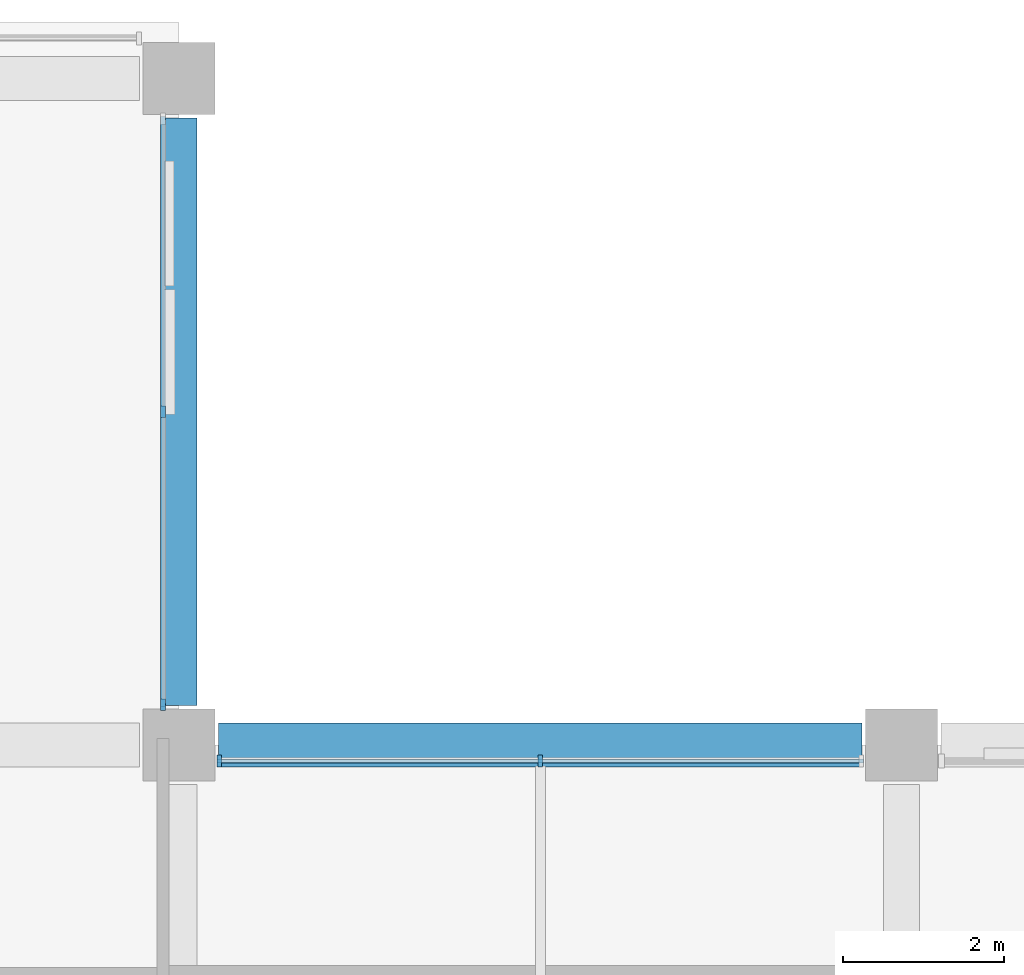
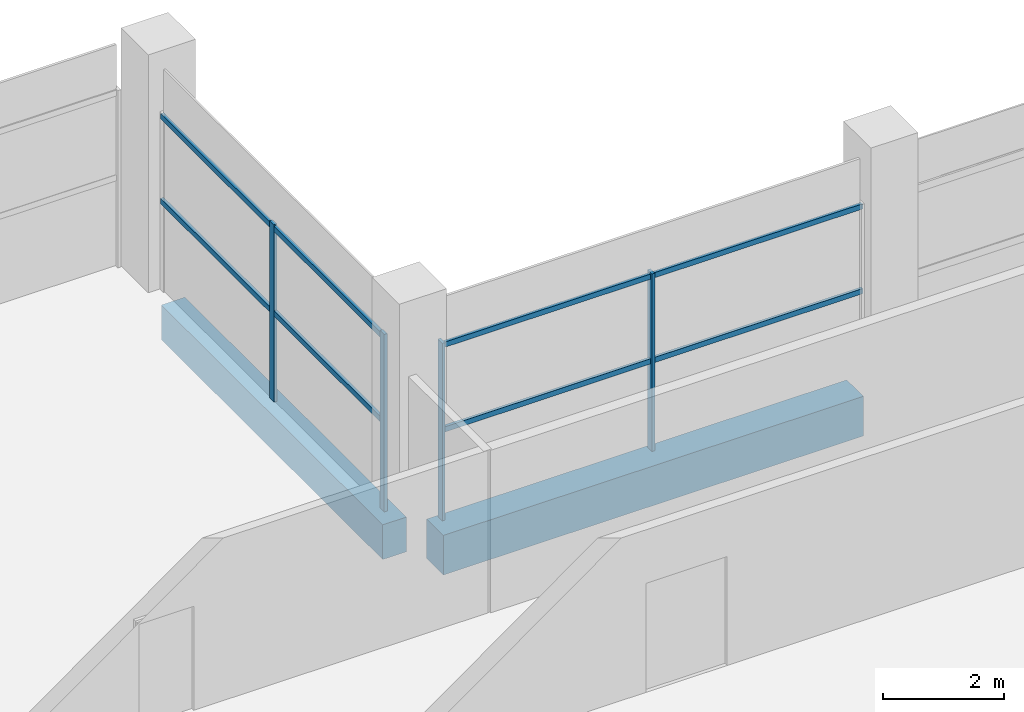
# One storey, part 32 of 100: 8 members, 2 beams, 2 elements without a shape of their own.
"""IFC4 building model written with IfcOpenShell, lengths in metres."""

from ifc_helpers import new_model, si_unit, direction, frame, origin, origin_2d, place, context, subcontext, project, spatial, rectangle, extrude, material, material_profile, profile_set, type_object, element, aggregate, save


model = new_model("IFC4")

# Units and contexts
model_context = context("Model", 3, precision=1e-05, world=origin(), true_north=direction((0.0, 1.0)))
body_context = subcontext(model_context, "Body", "Model", "MODEL_VIEW")
ifc_project = project(units=[si_unit("LENGTHUNIT", "METRE"), si_unit("AREAUNIT", "SQUARE_METRE"), si_unit("VOLUMEUNIT", "CUBIC_METRE"), si_unit("PLANEANGLEUNIT", "RADIAN"), si_unit("MASSUNIT", "GRAM", prefix="KILO"), si_unit("THERMODYNAMICTEMPERATUREUNIT", "KELVIN"), si_unit("POWERUNIT", "WATT")], contexts=[model_context])

# Site, building, storey
site_placement = place(None, origin())
site = spatial("IfcSite", under=ifc_project, at=site_placement, CompositionType="ELEMENT")
building_placement = place(site_placement, origin())
building = spatial("IfcBuilding", under=site, at=building_placement, Name="Sindhuravela Promenade Stadium", CompositionType="ELEMENT")
storey_placement = place(building_placement, frame((0.0, 0.0, 4.800048828125)))
storey = spatial("IfcBuildingStorey", under=building, at=storey_placement, Name="L01", CompositionType="ELEMENT", Elevation=4.800048828125)

# Curtain wall, members
ifc_material_1 = material(Name="Anodised architectural aluminium 6063-T6", Category="aluminium")
curtain_wall_type_1 = type_object("IfcCurtainWallType", Name="CW-MOD-7", PredefinedType="NOTDEFINED", material=ifc_material_1)
curtain_wall_1_placement = place(storey_placement, origin())
curtain_wall_1 = element("IfcCurtainWall", 1, at=curtain_wall_1_placement, inside=storey, type_object=curtain_wall_type_1, Name="Bronze curtain wall CW-NORTH-L01-142", PredefinedType="NOTDEFINED")
ifc_material_profile_1 = material_profile(ifc_material_1, rectangle(XDim=0.06005859375, YDim=0.139892578125, at=origin_2d()), Name="ALU M60x140")
ifc_profile_set_1 = profile_set([ifc_material_profile_1], Name="Anodised architectural aluminium 6063-T6")
member_type_1 = type_object("IfcMemberType", Name="CW-MUL-5", PredefinedType="MULLION", material=ifc_profile_set_1)
member_1_placement = place(storey_placement, frame((89.800048828125, 157.14990234375, 0.0), z_axis=(0.0, 0.0, 1.0), x_axis=(1.0, 0.0, 0.0)))
member_1 = element("IfcMember", 2, at=member_1_placement, type_object=member_type_1, Name="Curtain wall mullion CW-NORTH-L01-142-M2", PredefinedType="MULLION", context=body_context, shape_type="SweptSolid", body=[
    extrude(rectangle(XDim=0.06005859375, YDim=0.139892578125, at=origin_2d()), origin(), (0.0, 0.0, 1.0), 3.579833984375),
])
member_2_placement = place(storey_placement, frame((89.800048828125, 153.5, 0.0), z_axis=(0.0, 0.0, 1.0), x_axis=(1.0, 0.0, 0.0)))
member_2 = element("IfcMember", 3, at=member_2_placement, type_object=member_type_1, Name="Curtain wall mullion CW-NORTH-L01-142-M3", PredefinedType="MULLION", context=body_context, shape_type="SweptSolid", body=[
    extrude(rectangle(XDim=0.06005859375, YDim=0.139892578125, at=origin_2d()), origin(), (0.0, 0.0, 1.0), 3.579833984375),
])

curtain_wall_type_2 = type_object("IfcCurtainWallType", Name="CW-MOD-8", PredefinedType="NOTDEFINED", material=ifc_material_1)
curtain_wall_2_placement = place(storey_placement, origin())
curtain_wall_2 = element("IfcCurtainWall", 4, at=curtain_wall_2_placement, inside=storey, type_object=curtain_wall_type_2, Name="Bronze curtain wall CW-NORTH-L01-143", PredefinedType="NOTDEFINED")
ifc_material_profile_2 = material_profile(ifc_material_1, rectangle(XDim=0.054931640625, YDim=0.14990234375, at=origin_2d()), Name="ALU M55x150")
ifc_profile_set_2 = profile_set([ifc_material_profile_2], Name="Anodised architectural aluminium 6063-T6")
member_type_2 = type_object("IfcMemberType", Name="CW-MUL-6", PredefinedType="MULLION", material=ifc_profile_set_2)
member_3_placement = place(storey_placement, frame((90.5, 152.800048828125, 0.0), z_axis=(0.0, 0.0, 1.0), x_axis=(1.0, 0.0, 0.0)))
member_3 = element("IfcMember", 5, at=member_3_placement, type_object=member_type_2, Name="Curtain wall mullion CW-NORTH-L01-143-M1", PredefinedType="MULLION", context=body_context, shape_type="SweptSolid", body=[
    extrude(rectangle(XDim=0.054931640625, YDim=0.14990234375, at=origin_2d()), origin(), (0.0, 0.0, 1.0), 3.579833984375),
])
member_4_placement = place(storey_placement, frame((94.5, 152.800048828125, 0.0), z_axis=(0.0, 0.0, 1.0), x_axis=(1.0, 0.0, 0.0)))
member_4 = element("IfcMember", 6, at=member_4_placement, type_object=member_type_2, Name="Curtain wall mullion CW-NORTH-L01-143-M2", PredefinedType="MULLION", context=body_context, shape_type="SweptSolid", body=[
    extrude(rectangle(XDim=0.054931640625, YDim=0.14990234375, at=origin_2d()), origin(), (0.0, 0.0, 1.0), 3.579833984375),
])

# Member
ifc_material_profile_3 = material_profile(ifc_material_1, rectangle(XDim=0.06005859375, YDim=0.110107421875, at=origin_2d()), Name="ALU T60x110")
ifc_profile_set_3 = profile_set([ifc_material_profile_3], Name="Anodised architectural aluminium 6063-T6")
member_type_3 = type_object("IfcMemberType", Name="CW-TRN-5", PredefinedType="USERDEFINED", material=ifc_profile_set_3)
member_5_placement = place(storey_placement, frame((89.800048828125, 160.824951171875, 1.7900390625), z_axis=(0.0, -1.0, 0.0), x_axis=(1.0, 0.0, 0.0)))
member_5 = element("IfcMember", 7, at=member_5_placement, type_object=member_type_3, Name="Curtain wall transom CW-NORTH-L01-142-T1", ObjectType="TRANSOM", PredefinedType="USERDEFINED", context=body_context, shape_type="SweptSolid", body=[
    extrude(rectangle(XDim=0.06005859375, YDim=0.110107421875, at=origin_2d()), origin(), (0.0, 0.0, 1.0), 7.349853515625),
])

member_6_placement = place(storey_placement, frame((89.800048828125, 160.824951171875, 3.5), z_axis=(0.0, -1.0, 0.0), x_axis=(1.0, 0.0, 0.0)))
member_6 = element("IfcMember", 8, at=member_6_placement, type_object=member_type_3, Name="Curtain wall transom CW-NORTH-L01-142-T2", ObjectType="TRANSOM", PredefinedType="USERDEFINED", context=body_context, shape_type="SweptSolid", body=[
    extrude(rectangle(XDim=0.06005859375, YDim=0.110107421875, at=origin_2d()), origin(), (0.0, 0.0, 1.0), 7.349853515625),
])

aggregate(curtain_wall_1, [member_1, member_2, member_5, member_6])

ifc_material_profile_4 = material_profile(ifc_material_1, rectangle(XDim=0.054931640625, YDim=0.10498046875, at=origin_2d()), Name="ALU T55x105")
ifc_profile_set_4 = profile_set([ifc_material_profile_4], Name="Anodised architectural aluminium 6063-T6")
member_type_4 = type_object("IfcMemberType", Name="CW-TRN-6", PredefinedType="USERDEFINED", material=ifc_profile_set_4)
member_7_placement = place(storey_placement, frame((90.47509765625, 152.800048828125, 1.7900390625), z_axis=(1.0, 0.0, 0.0), x_axis=(0.0, 1.0, 0.0)))
member_7 = element("IfcMember", 9, at=member_7_placement, type_object=member_type_4, Name="Curtain wall transom CW-NORTH-L01-143-T1", ObjectType="TRANSOM", PredefinedType="USERDEFINED", context=body_context, shape_type="SweptSolid", body=[
    extrude(rectangle(XDim=0.054931640625, YDim=0.10498046875, at=origin_2d()), origin(), (0.0, 0.0, 1.0), 8.0498046875),
])

member_8_placement = place(storey_placement, frame((90.47509765625, 152.800048828125, 3.5), z_axis=(1.0, 0.0, 0.0), x_axis=(0.0, 1.0, 0.0)))
member_8 = element("IfcMember", 10, at=member_8_placement, type_object=member_type_4, Name="Curtain wall transom CW-NORTH-L01-143-T2", ObjectType="TRANSOM", PredefinedType="USERDEFINED", context=body_context, shape_type="SweptSolid", body=[
    extrude(rectangle(XDim=0.054931640625, YDim=0.10498046875, at=origin_2d()), origin(), (0.0, 0.0, 1.0), 8.0498046875),
])

aggregate(curtain_wall_2, [member_3, member_4, member_7, member_8])

# Beams
ifc_material_2 = material(Name="Concrete M40", Category="concrete")
ifc_material_profile_5 = material_profile(ifc_material_2, rectangle(XDim=0.449951171875, YDim=0.699951171875, at=origin_2d()), Name="RC 450x700")
ifc_profile_set_5 = profile_set([ifc_material_profile_5], Name="Concrete M40")
beam_type_1 = type_object("IfcBeamType", Name="RC-BM-450x700", PredefinedType="BEAM", material=ifc_profile_set_5)
beam_1_placement = place(storey_placement, frame((90.0, 153.489990234375, -0.650146484375), z_axis=(0.0, 1.0, 0.0), x_axis=(-1.0, 0.0, 0.0)))
element("IfcBeam", 11, at=beam_1_placement, inside=storey, type_object=beam_type_1, Name="Primary beam GB07 NORTH L01", PredefinedType="BEAM", context=body_context, shape_type="SweptSolid", body=[
    extrude(rectangle(XDim=0.449951171875, YDim=0.699951171875, at=origin_2d()), origin(), (0.0, 0.0, 1.0), 7.320068359375),
])
ifc_material_profile_6 = material_profile(ifc_material_2, rectangle(XDim=0.550048828125, YDim=0.800048828125, at=origin_2d()), Name="RC 550x800")
ifc_profile_set_6 = profile_set([ifc_material_profile_6], Name="Concrete M40")
beam_type_2 = type_object("IfcBeamType", Name="RC-BM-550x800", PredefinedType="BEAM", material=ifc_profile_set_6)
beam_2_placement = place(storey_placement, frame((90.489990234375, 153.0, -0.699951171875), z_axis=(1.0, 0.0, 0.0), x_axis=(0.0, 1.0, 0.0)))
element("IfcBeam", 12, at=beam_2_placement, inside=storey, type_object=beam_type_2, Name="Primary girder GB05 NORTH L01", PredefinedType="BEAM", context=body_context, shape_type="SweptSolid", body=[
    extrude(rectangle(XDim=0.550048828125, YDim=0.800048828125, at=origin_2d()), origin(), (0.0, 0.0, 1.0), 8.02001953125),
])

save(model, "model.ifc")
